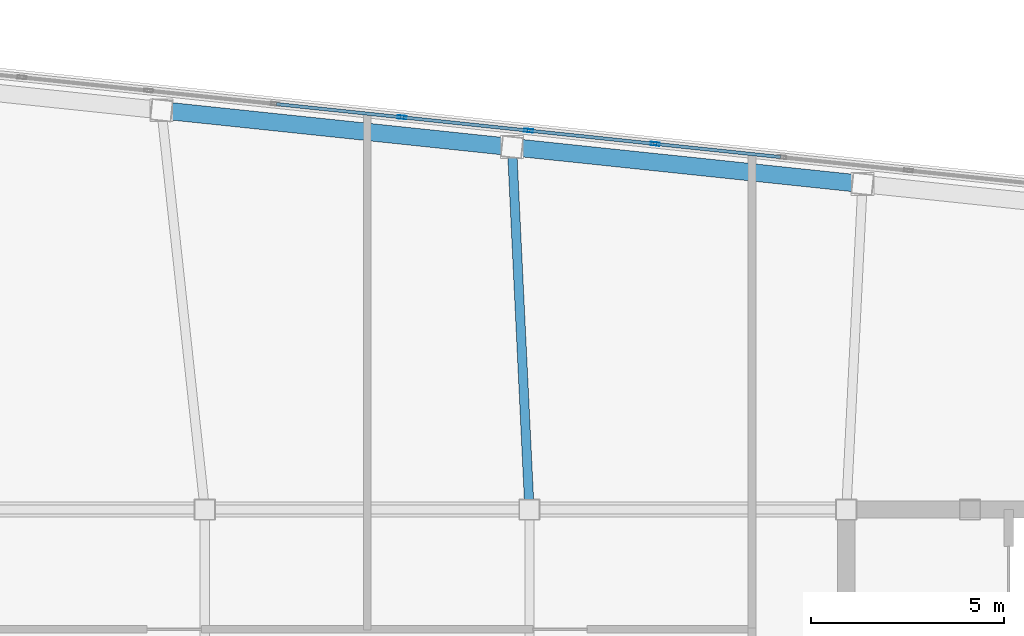
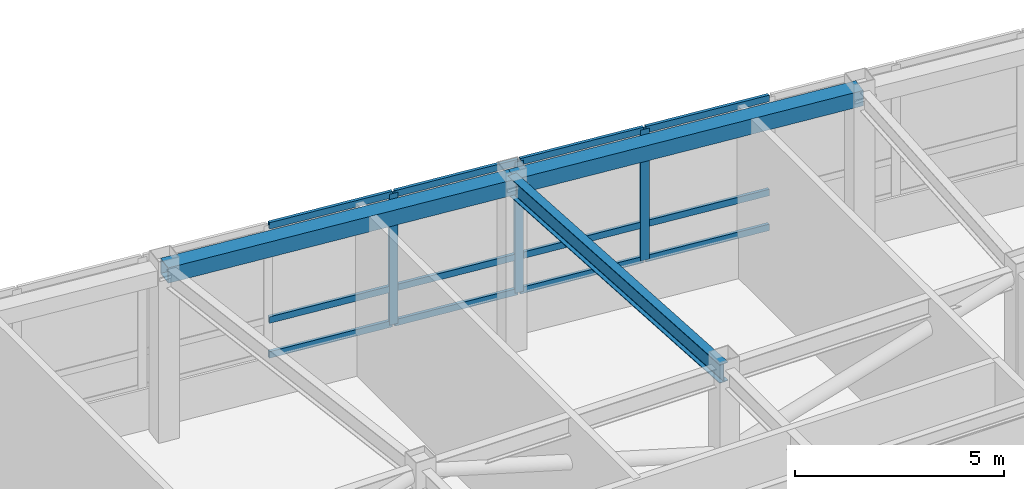
# One storey, part 16 of 23: 15 members, 3 beams, 1 element without a shape of its own.
"""IFC4 building model written with IfcOpenShell, lengths in metres."""

from ifc_helpers import new_model, si_unit, direction, frame, origin, origin_2d, place, context, subcontext, project, spatial, hollow_rectangle, i_section, extrude, material, layer, layer_set, material_profile, profile_set, type_object, element, aggregate, save


model = new_model("IFC4")

# Units and contexts
model_context = context("Model", 3, precision=1e-05, world=origin(), true_north=direction((0.0, 1.0)))
body_context = subcontext(model_context, "Body", "Model", "MODEL_VIEW")
ifc_project = project(units=[si_unit("LENGTHUNIT", "METRE"), si_unit("AREAUNIT", "SQUARE_METRE"), si_unit("VOLUMEUNIT", "CUBIC_METRE"), si_unit("PLANEANGLEUNIT", "RADIAN"), si_unit("MASSUNIT", "GRAM", prefix="KILO")], contexts=[model_context])

# Site, building, storey
site_placement = place(None, origin())
site = spatial("IfcSite", under=ifc_project, at=site_placement, CompositionType="ELEMENT")
building_placement = place(site_placement, origin())
building = spatial("IfcBuilding", under=site, at=building_placement, Name="Voryun Gate Residences", CompositionType="ELEMENT")
storey_placement = place(building_placement, frame((0.0, 0.0, 331.89990234375)))
storey = spatial("IfcBuildingStorey", under=building, at=storey_placement, Name="L81", CompositionType="ELEMENT", Elevation=331.89990234375)

# Beams
ifc_material_1 = material(Name="Steel SM355", Category="steel")
ifc_material_profile_1 = material_profile(ifc_material_1, hollow_rectangle(XDim=0.449951171875, YDim=0.449951171875, WallThickness=0.01806640625, at=origin_2d()), Name="BOX-450x450x18")
ifc_profile_set_1 = profile_set([ifc_material_profile_1], Name="Steel SM355")
beam_type_1 = type_object("IfcBeamType", Name="BM_CROWN_RING", PredefinedType="BEAM", material=ifc_profile_set_1)
for number, where, z_axis, x_axis, name in (
    (1, (12.818603515625, 15.824951171875, 4.800048828125), (-0.994521136856, 0.104535679778, 0.0), (-0.104535679778, -0.994521136856, 0.0), "BM-L81-SPAND-12"),
    (2, (3.74853515625, 16.7783203125, 4.800048828125), (-0.994521136856, 0.104535679778, 0.0), (-0.104535679778, -0.994521136856, 0.0), "BM-L81-SPAND-13"),
):
    element("IfcBeam", number, at=place(storey_placement, frame(where, z_axis=z_axis, x_axis=x_axis)), inside=storey, type_object=beam_type_1, Name=name, PredefinedType="BEAM", context=body_context, shape_type="SweptSolid", body=[
        extrude(hollow_rectangle(XDim=0.449951171875, YDim=0.449951171875, WallThickness=0.01806640625, at=origin_2d()), origin(), (0.0, 0.0, 1.0), 9.1201171875),
    ])
ifc_material_2 = material(Name="Steel SM355", Category="steel")
ifc_material_profile_2 = material_profile(ifc_material_2, i_section(OverallWidth=0.239990234375, OverallDepth=0.550048828125, WebThickness=0.011962890625, FlangeThickness=0.02001953125, FilletRadius=0.01806640625, at=origin_2d()), Name="H-550x240x12x20")
ifc_profile_set_2 = profile_set([ifc_material_profile_2], Name="Steel SM355")
beam_type_2 = type_object("IfcBeamType", Name="BM_GIRD_550", PredefinedType="USERDEFINED", material=ifc_profile_set_2)
beam_placement = place(storey_placement, frame((4.199951171875, 7.39990234375, 4.75), z_axis=(-0.048077831062, 0.998843592441, 0.0), x_axis=(-0.998843592441, -0.048077831062, 0.0)))
element("IfcBeam", 3, at=beam_placement, inside=storey, type_object=beam_type_2, Name="BM-L81-RAD-N3", ObjectType="GIRDER", PredefinedType="USERDEFINED", context=body_context, shape_type="SweptSolid", body=[
    extrude(i_section(OverallWidth=0.239990234375, OverallDepth=0.550048828125, WebThickness=0.011962890625, FlangeThickness=0.02001953125, FilletRadius=0.01806640625, at=origin_2d()), origin(), (0.0, 0.0, 1.0), 9.38916015625),
])

# Curtain wall, members
ifc_material_3 = material(Name="Anodised aluminium", Category="aluminium")
ifc_layer = layer(ifc_material_3, 0.22998046875, Name="CW_SYS_LANTERN_DARK_GLASS")
ifc_layer_set = layer_set([ifc_layer], Name="Anodised aluminium")
curtain_wall_type = type_object("IfcCurtainWallType", Name="CW_SYS_LANTERN_DARK_GLASS", PredefinedType="NOTDEFINED", material=ifc_layer_set)
curtain_wall_placement = place(storey_placement, origin())
curtain_wall = element("IfcCurtainWall", 4, at=curtain_wall_placement, inside=storey, type_object=curtain_wall_type, Name="Curtain wall CW6-L81-11", PredefinedType="NOTDEFINED")
ifc_material_4 = material(Name="Anodised aluminium", Category="aluminium")
ifc_material_profile_3 = material_profile(ifc_material_4, hollow_rectangle(XDim=0.0849609375, YDim=0.22998046875, WallThickness=0.006103515625, at=origin_2d()), Name="ALU-MULL-230x85x6")
ifc_profile_set_3 = profile_set([ifc_material_profile_3], Name="Anodised aluminium")
member_type_1 = type_object("IfcMemberType", Name="CW_MULL_LANT", PredefinedType="MULLION", material=ifc_profile_set_3)
member_1_placement = place(storey_placement, frame((0.90087890625, 17.55029296875, 1.190185546875), z_axis=(0.0, 0.0, 1.0), x_axis=(0.10452775858, 0.994521969434, 0.0)))
member_1 = element("IfcMember", 5, at=member_1_placement, type_object=member_type_1, Name="CW6 mullion 8", PredefinedType="MULLION", context=body_context, shape_type="SweptSolid", body=[
    extrude(hollow_rectangle(XDim=0.0849609375, YDim=0.22998046875, WallThickness=0.006103515625, at=origin_2d()), origin(), (0.0, 0.0, 1.0), 3.8349609375),
])
member_2_placement = place(storey_placement, frame((4.177490234375, 17.205810546875, 1.190185546875), z_axis=(0.0, 0.0, 1.0), x_axis=(0.10452775858, 0.994521969434, 0.0)))
member_2 = element("IfcMember", 6, at=member_2_placement, type_object=member_type_1, Name="CW6 mullion 9", PredefinedType="MULLION", context=body_context, shape_type="SweptSolid", body=[
    extrude(hollow_rectangle(XDim=0.0849609375, YDim=0.22998046875, WallThickness=0.006103515625, at=origin_2d()), origin(), (0.0, 0.0, 1.0), 3.8349609375),
])
member_3_placement = place(storey_placement, frame((7.4541015625, 16.861328125, 1.190185546875), z_axis=(0.0, 0.0, 1.0), x_axis=(0.10452775858, 0.994521969434, 0.0)))
member_3 = element("IfcMember", 7, at=member_3_placement, type_object=member_type_1, Name="CW6 mullion 10", PredefinedType="MULLION", context=body_context, shape_type="SweptSolid", body=[
    extrude(hollow_rectangle(XDim=0.0849609375, YDim=0.22998046875, WallThickness=0.006103515625, at=origin_2d()), origin(), (0.0, 0.0, 1.0), 3.8349609375),
])
ifc_material_5 = material(Name="Anodised aluminium", Category="aluminium")
ifc_material_profile_4 = material_profile(ifc_material_5, hollow_rectangle(XDim=0.0849609375, YDim=0.18994140625, WallThickness=0.006103515625, at=origin_2d()), Name="ALU-TRAN-190x85x6")
ifc_profile_set_4 = profile_set([ifc_material_profile_4], Name="Anodised aluminium")
member_type_2 = type_object("IfcMemberType", Name="CW_TRAN_LANT", PredefinedType="USERDEFINED", material=ifc_profile_set_4)
member_4_placement = place(storey_placement, frame((-2.345947265625, 17.891357421875, 1.22021484375), z_axis=(0.994521569819, -0.104531560613, 0.0), x_axis=(0.104531560613, 0.994521569819, 0.0)))
member_4 = element("IfcMember", 8, at=member_4_placement, type_object=member_type_2, Name="CW6 transom 7.1", ObjectType="TRANSOM", PredefinedType="USERDEFINED", context=body_context, shape_type="SweptSolid", body=[
    extrude(hollow_rectangle(XDim=0.0849609375, YDim=0.18994140625, WallThickness=0.006103515625, at=origin_2d()), origin(), (0.0, 0.0, 1.0), 3.23486328125),
])
member_5_placement = place(storey_placement, frame((-2.345947265625, 17.891357421875, 2.239990234375), z_axis=(0.994521569819, -0.104531560613, 0.0), x_axis=(0.104531560613, 0.994521569819, 0.0)))
member_5 = element("IfcMember", 9, at=member_5_placement, type_object=member_type_2, Name="CW6 transom 7.2", ObjectType="TRANSOM", PredefinedType="USERDEFINED", context=body_context, shape_type="SweptSolid", body=[
    extrude(hollow_rectangle(XDim=0.0849609375, YDim=0.18994140625, WallThickness=0.006103515625, at=origin_2d()), origin(), (0.0, 0.0, 1.0), 3.23486328125),
])
member_6_placement = place(storey_placement, frame((-2.345947265625, 17.891357421875, 4.9951171875), z_axis=(0.994521569819, -0.104531560613, 0.0), x_axis=(0.104531560613, 0.994521569819, 0.0)))
member_6 = element("IfcMember", 10, at=member_6_placement, type_object=member_type_2, Name="CW6 transom 7.3", ObjectType="TRANSOM", PredefinedType="USERDEFINED", context=body_context, shape_type="SweptSolid", body=[
    extrude(hollow_rectangle(XDim=0.0849609375, YDim=0.18994140625, WallThickness=0.006103515625, at=origin_2d()), origin(), (0.0, 0.0, 1.0), 3.23486328125),
])
member_7_placement = place(storey_placement, frame((0.930908203125, 17.547119140625, 1.22021484375), z_axis=(0.994520745033, -0.104539407398, 0.0), x_axis=(0.104539407398, 0.994520745033, 0.0)))
member_7 = element("IfcMember", 11, at=member_7_placement, type_object=member_type_2, Name="CW6 transom 8.1", ObjectType="TRANSOM", PredefinedType="USERDEFINED", context=body_context, shape_type="SweptSolid", body=[
    extrude(hollow_rectangle(XDim=0.0849609375, YDim=0.18994140625, WallThickness=0.006103515625, at=origin_2d()), origin(), (0.0, 0.0, 1.0), 3.234619140625),
])
member_8_placement = place(storey_placement, frame((0.930908203125, 17.547119140625, 2.239990234375), z_axis=(0.994520745033, -0.104539407398, 0.0), x_axis=(0.104539407398, 0.994520745033, 0.0)))
member_8 = element("IfcMember", 12, at=member_8_placement, type_object=member_type_2, Name="CW6 transom 8.2", ObjectType="TRANSOM", PredefinedType="USERDEFINED", context=body_context, shape_type="SweptSolid", body=[
    extrude(hollow_rectangle(XDim=0.0849609375, YDim=0.18994140625, WallThickness=0.006103515625, at=origin_2d()), origin(), (0.0, 0.0, 1.0), 3.234619140625),
])
member_9_placement = place(storey_placement, frame((0.930908203125, 17.547119140625, 4.9951171875), z_axis=(0.994520745033, -0.104539407398, 0.0), x_axis=(0.104539407398, 0.994520745033, 0.0)))
member_9 = element("IfcMember", 13, at=member_9_placement, type_object=member_type_2, Name="CW6 transom 8.3", ObjectType="TRANSOM", PredefinedType="USERDEFINED", context=body_context, shape_type="SweptSolid", body=[
    extrude(hollow_rectangle(XDim=0.0849609375, YDim=0.18994140625, WallThickness=0.006103515625, at=origin_2d()), origin(), (0.0, 0.0, 1.0), 3.234619140625),
])
member_10_placement = place(storey_placement, frame((4.20751953125, 17.20263671875, 1.22021484375), z_axis=(0.994520745033, -0.104539407398, 0.0), x_axis=(0.104539407398, 0.994520745033, 0.0)))
member_10 = element("IfcMember", 14, at=member_10_placement, type_object=member_type_2, Name="CW6 transom 9.1", ObjectType="TRANSOM", PredefinedType="USERDEFINED", context=body_context, shape_type="SweptSolid", body=[
    extrude(hollow_rectangle(XDim=0.0849609375, YDim=0.18994140625, WallThickness=0.006103515625, at=origin_2d()), origin(), (0.0, 0.0, 1.0), 3.234619140625),
])
member_11_placement = place(storey_placement, frame((4.20751953125, 17.20263671875, 2.239990234375), z_axis=(0.994520745033, -0.104539407398, 0.0), x_axis=(0.104539407398, 0.994520745033, 0.0)))
member_11 = element("IfcMember", 15, at=member_11_placement, type_object=member_type_2, Name="CW6 transom 9.2", ObjectType="TRANSOM", PredefinedType="USERDEFINED", context=body_context, shape_type="SweptSolid", body=[
    extrude(hollow_rectangle(XDim=0.0849609375, YDim=0.18994140625, WallThickness=0.006103515625, at=origin_2d()), origin(), (0.0, 0.0, 1.0), 3.234619140625),
])
member_12_placement = place(storey_placement, frame((4.20751953125, 17.20263671875, 4.9951171875), z_axis=(0.994520745033, -0.104539407398, 0.0), x_axis=(0.104539407398, 0.994520745033, 0.0)))
member_12 = element("IfcMember", 16, at=member_12_placement, type_object=member_type_2, Name="CW6 transom 9.3", ObjectType="TRANSOM", PredefinedType="USERDEFINED", context=body_context, shape_type="SweptSolid", body=[
    extrude(hollow_rectangle(XDim=0.0849609375, YDim=0.18994140625, WallThickness=0.006103515625, at=origin_2d()), origin(), (0.0, 0.0, 1.0), 3.234619140625),
])
member_13_placement = place(storey_placement, frame((7.484130859375, 16.8583984375, 1.22021484375), z_axis=(0.994520745033, -0.104539407398, 0.0), x_axis=(0.104539407398, 0.994520745033, 0.0)))
member_13 = element("IfcMember", 17, at=member_13_placement, type_object=member_type_2, Name="CW6 transom 10.1", ObjectType="TRANSOM", PredefinedType="USERDEFINED", context=body_context, shape_type="SweptSolid", body=[
    extrude(hollow_rectangle(XDim=0.0849609375, YDim=0.18994140625, WallThickness=0.006103515625, at=origin_2d()), origin(), (0.0, 0.0, 1.0), 3.234619140625),
])
member_14_placement = place(storey_placement, frame((7.484130859375, 16.8583984375, 2.239990234375), z_axis=(0.994520745033, -0.104539407398, 0.0), x_axis=(0.104539407398, 0.994520745033, 0.0)))
member_14 = element("IfcMember", 18, at=member_14_placement, type_object=member_type_2, Name="CW6 transom 10.2", ObjectType="TRANSOM", PredefinedType="USERDEFINED", context=body_context, shape_type="SweptSolid", body=[
    extrude(hollow_rectangle(XDim=0.0849609375, YDim=0.18994140625, WallThickness=0.006103515625, at=origin_2d()), origin(), (0.0, 0.0, 1.0), 3.234619140625),
])
member_15_placement = place(storey_placement, frame((7.484130859375, 16.8583984375, 4.9951171875), z_axis=(0.994520745033, -0.104539407398, 0.0), x_axis=(0.104539407398, 0.994520745033, 0.0)))
member_15 = element("IfcMember", 19, at=member_15_placement, type_object=member_type_2, Name="CW6 transom 10.3", ObjectType="TRANSOM", PredefinedType="USERDEFINED", context=body_context, shape_type="SweptSolid", body=[
    extrude(hollow_rectangle(XDim=0.0849609375, YDim=0.18994140625, WallThickness=0.006103515625, at=origin_2d()), origin(), (0.0, 0.0, 1.0), 3.234619140625),
])
aggregate(curtain_wall, [member_1, member_2, member_3, member_4, member_5, member_6, member_7, member_8, member_9, member_10, member_11, member_12, member_13, member_14, member_15])

save(model, "model.ifc")
